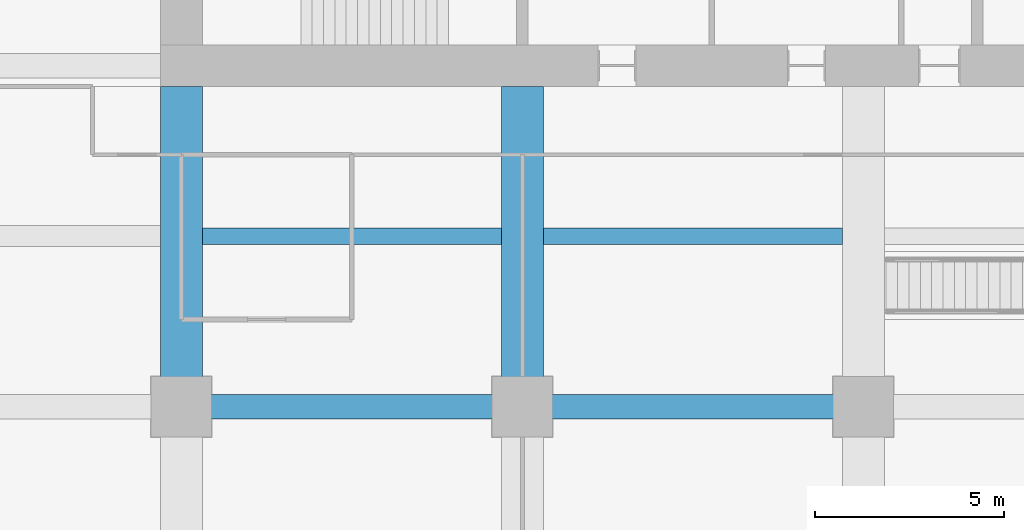
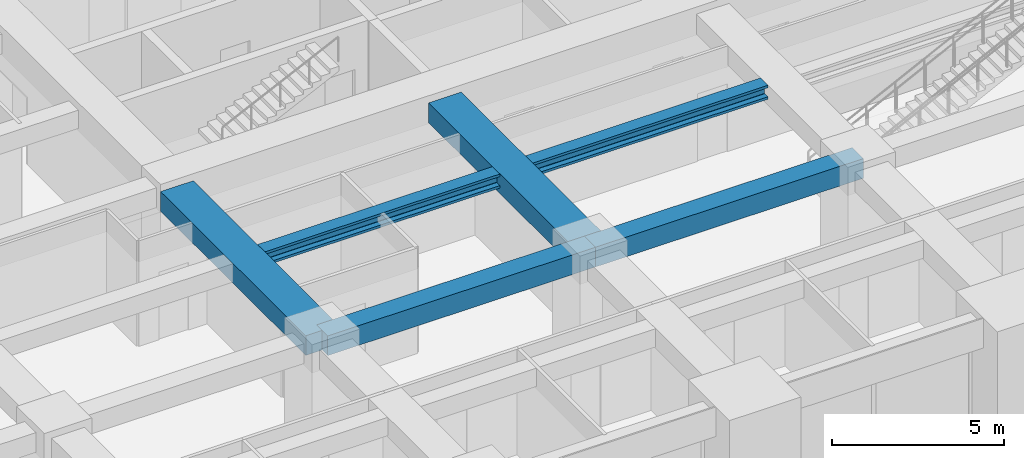
# One storey, part 8 of 34: 6 beams.
"""IFC4 building model written with IfcOpenShell, lengths in metres."""

import ifcopenshell
import ifcopenshell.guid

model = None  # the IFC model being written
_history = None  # IfcOwnerHistory: only IFC2X3 demands one
_inside = {}  # id of a spatial element -> (the spatial element, [elements in it])
_under = {}  # id of a project, library or spatial element -> (it, [spatial elements below it])
_declared = {}  # id of a project -> (the project, [libraries it declares])
_typed = {}  # id of a type object -> (the type object, [elements of that type])
_made_of = {}  # id of a material, layer set ... -> (it, [elements and type objects made of it])


def new_model(schema):
    """Start an empty IFC model of exactly this schema.

    Asked for "IFC4X3", IfcOpenShell would pick the latest addendum, in which some entities
    have other attributes; the version numbers below select the first issue.
    IFC2X3 requires an IfcOwnerHistory on every rooted entity: one is made here for all.
    """
    global model, _history
    if schema == "IFC4X3":
        model = ifcopenshell.file(schema_version=(4, 3, 0, 0))
    else:
        model = ifcopenshell.file(schema=schema)
    _inside.clear()
    _under.clear()
    _declared.clear()
    _typed.clear()
    _made_of.clear()
    _history = None
    if model.schema == "IFC2X3":
        org = make("IfcOrganization", Name="unknown")
        user = make(
            "IfcPersonAndOrganization",
            ThePerson=make("IfcPerson", FamilyName="unknown"),
            TheOrganization=org,
        )
        app = make(
            "IfcApplication",
            ApplicationDeveloper=org,
            Version="unknown",
            ApplicationFullName="unknown",
            ApplicationIdentifier="unknown",
        )
        _history = make(
            "IfcOwnerHistory",
            OwningUser=user,
            OwningApplication=app,
            ChangeAction="ADDED",
            CreationDate=0,
        )
    return model


def make(cls, **values):
    """One entity of the class cls with the attributes given. An attribute that is None is left unset."""
    return model.create_entity(
        cls, **{name: value for name, value in values.items() if value is not None}
    )


def rooted(cls, **values):
    """An entity with a GlobalId (a new one), such as an element, a storey or a relation."""
    return make(cls, GlobalId=ifcopenshell.guid.new(), OwnerHistory=_history, **values)


def si_unit(unit_type, name, prefix=None):
    """IfcSIUnit, for example si_unit("LENGTHUNIT", "METRE", prefix="MILLI")."""
    return make("IfcSIUnit", UnitType=unit_type, Prefix=prefix, Name=name)


def assignment(units):
    """IfcUnitAssignment: the units of a project."""
    return None if units is None else make("IfcUnitAssignment", Units=units)


def point(xyz):
    """IfcCartesianPoint."""
    return None if xyz is None else make("IfcCartesianPoint", Coordinates=xyz)


def direction(xyz):
    """IfcDirection."""
    return None if xyz is None else make("IfcDirection", DirectionRatios=xyz)


def frame(location, z_axis=None, x_axis=None):
    """IfcAxis2Placement3D, a coordinate frame: its origin and axes. An axis left out is left unset."""
    return make(
        "IfcAxis2Placement3D",
        Location=point(location),
        Axis=direction(z_axis),
        RefDirection=direction(x_axis),
    )


def frame_2d(location, x_axis=None):
    """IfcAxis2Placement2D, a coordinate frame in the plane: its origin and x axis."""
    return make(
        "IfcAxis2Placement2D", Location=point(location), RefDirection=direction(x_axis)
    )


def origin():
    """The frame at (0, 0, 0) with its axes left unset."""
    return frame((0.0, 0.0, 0.0))


def origin_2d():
    """The frame at (0, 0) in the plane with its x axis left unset."""
    return frame_2d((0.0, 0.0))


def place(relative_to, where):
    """IfcLocalPlacement: puts the frame where relative to a parent placement (None: the world)."""
    return make(
        "IfcLocalPlacement", PlacementRelTo=relative_to, RelativePlacement=where
    )


def context(
    kind, dimensions, precision=None, world=None, true_north=None, identifier=None
):
    """IfcGeometricRepresentationContext, for example the 3D "Model" context."""
    return make(
        "IfcGeometricRepresentationContext",
        ContextIdentifier=identifier,
        ContextType=kind,
        CoordinateSpaceDimension=dimensions,
        Precision=precision,
        WorldCoordinateSystem=world,
        TrueNorth=true_north,
    )


def subcontext(parent, identifier, kind, view, scale=None):
    """IfcGeometricRepresentationSubContext, for example "Body" below "Model"."""
    return make(
        "IfcGeometricRepresentationSubContext",
        ContextIdentifier=identifier,
        ContextType=kind,
        ParentContext=parent,
        TargetScale=scale,
        TargetView=view,
    )


def project(units=None, contexts=None):
    """IfcProject with its units and contexts."""
    return rooted(
        "IfcProject",
        Name="project",
        RepresentationContexts=contexts,
        UnitsInContext=assignment(units),
    )


def spatial(cls, under=None, at=None, **own):
    """A site, building, storey or space (cls), placed at a placement, below another one or the project."""
    s = rooted(cls, ObjectPlacement=at, **own)
    if under is not None:
        _under.setdefault(under.id(), (under, []))[1].append(s)
    return s


def profile(cls, at=None, kind="AREA", **sizes):
    """A parametric profile (cls). Its sizes go by their IFC names, for example OverallWidth=200.0."""
    return make(cls, ProfileType=kind, Position=at, **sizes)


def rectangle(**sizes):
    """IfcRectangleProfileDef."""
    return profile("IfcRectangleProfileDef", **sizes)


def i_section(**sizes):
    """IfcIShapeProfileDef."""
    return profile("IfcIShapeProfileDef", **sizes)


def extrude(swept, where, along, depth):
    """IfcExtrudedAreaSolid: the profile swept, set in the frame where, extruded along a direction by depth."""
    return make(
        "IfcExtrudedAreaSolid",
        SweptArea=swept,
        Position=where,
        ExtrudedDirection=direction(along),
        Depth=depth,
    )


def shape(context_of_items, identifier, shape_type, items):
    """IfcShapeRepresentation: the items that make up one representation, for example the "Body"."""
    return make(
        "IfcShapeRepresentation",
        ContextOfItems=context_of_items,
        RepresentationIdentifier=identifier,
        RepresentationType=shape_type,
        Items=items,
    )


def material(Name=None, Category=None):
    """IfcMaterial."""
    return make("IfcMaterial", Name=Name, Category=Category)


def material_profile(
    of_material, cross_section, Name=None, Category=None, Priority=None
):
    """IfcMaterialProfile: a cross section and its material."""
    return make(
        "IfcMaterialProfile",
        Name=Name,
        Material=of_material,
        Profile=cross_section,
        Priority=Priority,
        Category=Category,
    )


def profile_set(profiles, Name=None, composite=None):
    """IfcMaterialProfileSet."""
    return make(
        "IfcMaterialProfileSet",
        Name=Name,
        MaterialProfiles=profiles,
        CompositeProfile=composite,
    )


def made_of(thing, what):
    """Note that an element or type object is made of a material, layer set ...; save() writes the relation."""
    if what is not None:
        _made_of.setdefault(what.id(), (what, []))[1].append(thing)
    return thing


def type_object(cls, material=None, **own):
    """A type object (cls), such as IfcWallType, which elements share."""
    return made_of(rooted(cls, **own), material)


def element(
    cls,
    number,
    at=None,
    inside=None,
    cuts=None,
    type_object=None,
    material=None,
    context=None,
    identifier="Body",
    shape_type=None,
    held_by="IfcProductDefinitionShape",
    body=None,
    shapes=None,
    **own,
):
    """One element of the class cls, such as IfcWall. Its Tag is "e" and its number.

    at: its placement. inside: the storey or other place that contains it. cuts: it is an
    opening in that element (IfcRelVoidsElement). A single representation is given by context,
    identifier, shape_type and body (its items); several are given by shapes. held_by: the class
    of the entity that holds the representations. save() writes the other relations.
    """
    e = rooted(cls, Tag="e%d" % number, ObjectPlacement=at, **own)
    if body is not None:
        shapes = [shape(context, identifier, shape_type, body)]
    if shapes is not None:
        e.Representation = make(held_by, Representations=shapes)
    if inside is not None:
        _inside.setdefault(inside.id(), (inside, []))[1].append(e)
    if cuts is not None:
        rooted(
            "IfcRelVoidsElement", RelatingBuildingElement=cuts, RelatedOpeningElement=e
        )
    if type_object is not None:
        _typed.setdefault(type_object.id(), (type_object, []))[1].append(e)
    return made_of(e, material)


def aggregate(whole, parts):
    """IfcRelAggregates: a whole, such as a stair, and the parts it consists of."""
    return rooted("IfcRelAggregates", RelatingObject=whole, RelatedObjects=parts)


def save(model, path):
    """Write the relations noted so far, then the file.

    IfcRelAggregates (storeys below a building ...), IfcRelContainedInSpatialStructure (elements
    in a storey), IfcRelDefinesByType, IfcRelAssociatesMaterial and IfcRelDeclares: one each for
    every whole, place, type object, material and project.
    """
    for whole, parts in _under.values():
        aggregate(whole, parts)
    for where, things in _inside.values():
        rooted(
            "IfcRelContainedInSpatialStructure",
            RelatedElements=things,
            RelatingStructure=where,
        )
    for kind, things in _typed.values():
        rooted("IfcRelDefinesByType", RelatedObjects=things, RelatingType=kind)
    for what, things in _made_of.values():
        rooted("IfcRelAssociatesMaterial", RelatedObjects=things, RelatingMaterial=what)
    for by, libraries in _declared.values():
        rooted("IfcRelDeclares", RelatingContext=by, RelatedDefinitions=libraries)
    model.write(path)


model = new_model("IFC4")

# Units and contexts
model_context = context("Model", 3, precision=1e-05, world=origin(), true_north=direction((0.0, 1.0)))
body_context = subcontext(model_context, "Body", "Model", "MODEL_VIEW")
ifc_project = project(units=[si_unit("LENGTHUNIT", "METRE"), si_unit("AREAUNIT", "SQUARE_METRE"), si_unit("VOLUMEUNIT", "CUBIC_METRE"), si_unit("PLANEANGLEUNIT", "RADIAN"), si_unit("MASSUNIT", "GRAM", prefix="KILO")], contexts=[model_context])

# Site, building, storey
site_placement = place(None, origin())
site = spatial("IfcSite", under=ifc_project, at=site_placement, CompositionType="ELEMENT")
building_placement = place(site_placement, origin())
building = spatial("IfcBuilding", under=site, at=building_placement, Name="Zorevar Civic Tower", CompositionType="ELEMENT")
storey_placement = place(building_placement, frame((0.0, 0.0, 174.199951171875)))
storey = spatial("IfcBuildingStorey", under=building, at=storey_placement, Name="L42", CompositionType="ELEMENT", Elevation=174.199951171875)

# Beams
ifc_material_1 = material(Name="Concrete C50/60", Category="concrete")
ifc_material_profile_1 = material_profile(ifc_material_1, rectangle(XDim=1.10009765625, YDim=0.699951171875, at=origin_2d()), Name="RC 1100x700")
ifc_profile_set_1 = profile_set([ifc_material_profile_1], Name="Concrete C50/60")
beam_type_1 = type_object("IfcBeamType", Name="Beam RC 1100x700", PredefinedType="BEAM", material=ifc_profile_set_1)
for number, where, z_axis, x_axis, name in (
    (1, (18.0, 9.0, 3.400146484375), (0.0, 1.0, 0.0), (-1.0, 0.0, 0.0), "Girder L43"),
    (2, (27.0, 9.0, 3.400146484375), (0.0, 1.0, 0.0), (-1.0, 0.0, 0.0), "Girder L43"),
):
    element("IfcBeam", number, at=place(storey_placement, frame(where, z_axis=z_axis, x_axis=x_axis)), inside=storey, type_object=beam_type_1, Name=name, PredefinedType="BEAM", context=body_context, shape_type="SweptSolid", body=[
        extrude(rectangle(XDim=1.10009765625, YDim=0.699951171875, at=origin_2d()), origin(), (0.0, 0.0, 1.0), 8.449951171875),
    ])
ifc_material_2 = material(Name="Concrete C50/60", Category="concrete")
ifc_material_profile_2 = material_profile(ifc_material_2, rectangle(XDim=0.64990234375, YDim=0.699951171875, at=origin_2d()), Name="RC 650x700")
ifc_profile_set_2 = profile_set([ifc_material_profile_2], Name="Concrete C50/60")
beam_type_2 = type_object("IfcBeamType", Name="Beam RC 650x700", PredefinedType="BEAM", material=ifc_profile_set_2)
for number, where, z_axis, x_axis, name in (
    (3, (18.0, 9.0, 3.400146484375), (1.0, 0.0, 0.0), (0.0, 1.0, 0.0), "Girder L43"),
    (4, (27.0, 9.0, 3.400146484375), (1.0, 0.0, 0.0), (0.0, 1.0, 0.0), "Girder L43"),
):
    element("IfcBeam", number, at=place(storey_placement, frame(where, z_axis=z_axis, x_axis=x_axis)), inside=storey, type_object=beam_type_2, Name=name, PredefinedType="BEAM", context=body_context, shape_type="SweptSolid", body=[
        extrude(rectangle(XDim=0.64990234375, YDim=0.699951171875, at=origin_2d()), origin(), (0.0, 0.0, 1.0), 9.0),
    ])
ifc_material_3 = material(Name="Steel S460M (HISTAR 460)", Category="steel")
ifc_material_profile_3 = material_profile(ifc_material_3, i_section(OverallWidth=0.431884765625, OverallDepth=0.498046875, WebThickness=0.0556640625, FlangeThickness=0.0888671875, FilletRadius=0.014892578125, at=origin_2d()), Name="HD 400x744")
ifc_profile_set_3 = profile_set([ifc_material_profile_3], Name="Steel S460M (HISTAR 460)")
beam_type_3 = type_object("IfcBeamType", Name="Core bay beam HD 400x744", PredefinedType="BEAM", material=ifc_profile_set_3)
for number, where, z_axis, x_axis, name in (
    (5, (18.550048828125, 13.5, 3.5009765625), (1.0, 0.0, 0.0), (0.0, 1.0, 0.0), "Secondary beam L43"),
    (6, (27.550048828125, 13.5, 3.5009765625), (1.0, 0.0, 0.0), (0.0, 1.0, 0.0), "Secondary beam L43"),
):
    element("IfcBeam", number, at=place(storey_placement, frame(where, z_axis=z_axis, x_axis=x_axis)), inside=storey, type_object=beam_type_3, Name=name, PredefinedType="BEAM", context=body_context, shape_type="SweptSolid", body=[
        extrude(i_section(OverallWidth=0.431884765625, OverallDepth=0.498046875, WebThickness=0.0556640625, FlangeThickness=0.0888671875, FilletRadius=0.014892578125, at=origin_2d()), origin(), (0.0, 0.0, 1.0), 7.89990234375),
    ])

save(model, "model.ifc")
